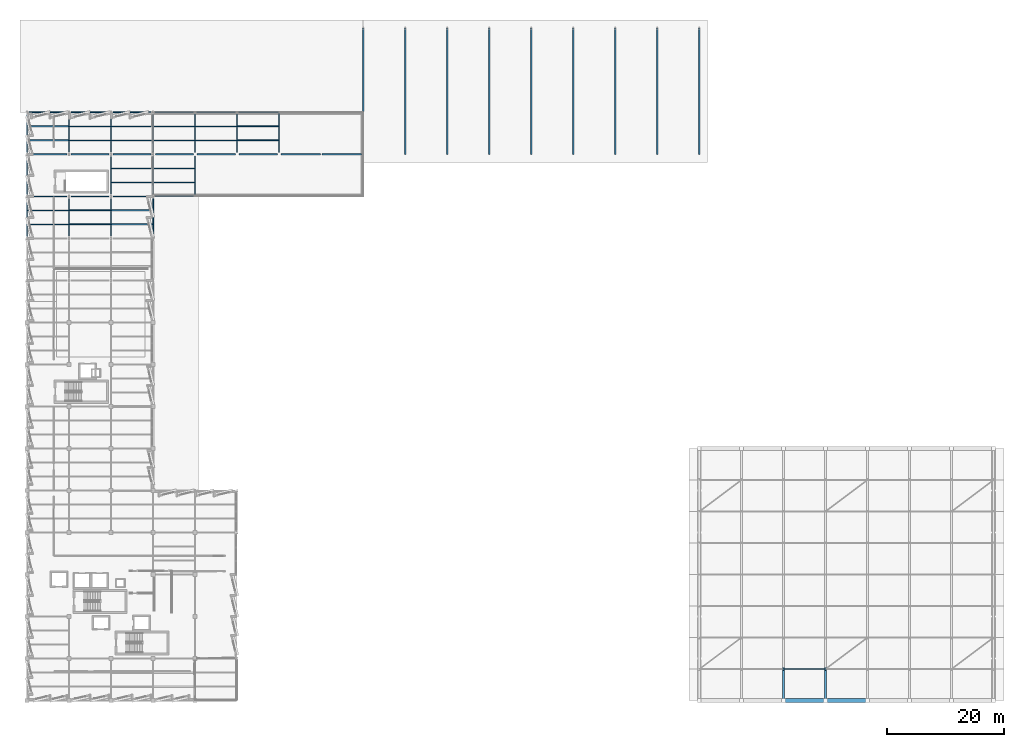
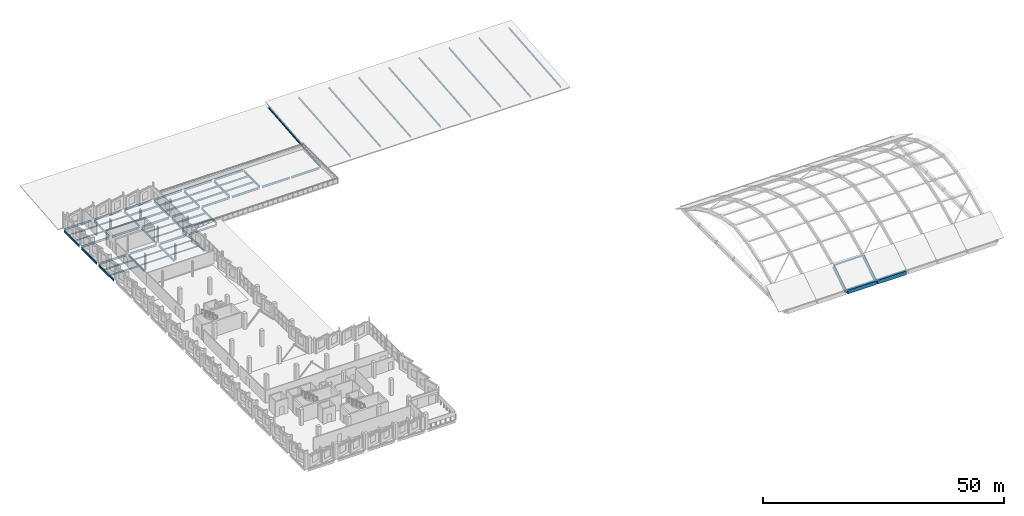
# One storey, part 20 of 38: 59 beams, 10 members.
"""IFC4 building model written with IfcOpenShell, lengths in metres."""

from ifc_helpers import new_model, si_unit, direction, frame, origin, origin_2d, place, context, subcontext, project, spatial, rectangle, i_section, extrude, material, material_profile, profile_set, type_object, element, save


model = new_model("IFC4")

# Units and contexts
model_context = context("Model", 3, precision=1e-05, world=origin(), true_north=direction((0.0, 1.0)))
body_context = subcontext(model_context, "Body", "Model", "MODEL_VIEW")
ifc_project = project(units=[si_unit("LENGTHUNIT", "METRE"), si_unit("AREAUNIT", "SQUARE_METRE"), si_unit("VOLUMEUNIT", "CUBIC_METRE"), si_unit("PLANEANGLEUNIT", "RADIAN"), si_unit("MASSUNIT", "GRAM", prefix="KILO")], contexts=[model_context])

# Site, building, storey
site_placement = place(None, origin())
site = spatial("IfcSite", under=ifc_project, at=site_placement, CompositionType="ELEMENT")
building_placement = place(site_placement, origin())
building = spatial("IfcBuilding", under=site, at=building_placement, Name="Kalmorath City Hall", CompositionType="ELEMENT")
storey_placement = place(building_placement, frame((0.0, 0.0, 18.89990234375)))
storey = spatial("IfcBuildingStorey", under=building, at=storey_placement, Name="L04", CompositionType="ELEMENT", Elevation=18.89990234375)

# Beams
ifc_material_1 = material(Name="Concrete C50/60", Category="concrete")
ifc_material_profile_1 = material_profile(ifc_material_1, rectangle(XDim=0.64990234375, YDim=0.949951171875, at=origin_2d()), Name="RC-RING-650X950")
ifc_profile_set_1 = profile_set([ifc_material_profile_1], Name="Concrete C50/60")
beam_type_1 = type_object("IfcBeamType", Name="Concrete shell ring beam 650x950", PredefinedType="SPANDREL", material=ifc_profile_set_1)
beam_1_placement = place(storey_placement, frame((129.784423828125, 0.0, -0.474853515625), z_axis=(1.0, 0.0, 0.0), x_axis=(0.0, 1.0, 0.0)))
element("IfcBeam", 1, at=beam_1_placement, inside=storey, type_object=beam_type_1, Name="Chamber shell perimeter edge beam RB1-S3", PredefinedType="SPANDREL", context=body_context, shape_type="SweptSolid", body=[
    extrude(rectangle(XDim=0.64990234375, YDim=0.949951171875, at=origin_2d()), origin(), (0.0, 0.0, 1.0), 6.8876953125),
])
beam_2_placement = place(storey_placement, frame((136.927978515625, 0.0, -0.474853515625), z_axis=(1.0, 0.0, 0.0), x_axis=(0.0, 1.0, 0.0)))
element("IfcBeam", 2, at=beam_2_placement, inside=storey, type_object=beam_type_1, Name="Chamber shell perimeter edge beam RB1-S4", PredefinedType="SPANDREL", context=body_context, shape_type="SweptSolid", body=[
    extrude(rectangle(XDim=0.64990234375, YDim=0.949951171875, at=origin_2d()), origin(), (0.0, 0.0, 1.0), 6.887451171875),
])
ifc_material_2 = material(Name="Steel ASTM A992 Grade 50", Category="steel")
ifc_material_profile_2 = material_profile(ifc_material_2, i_section(OverallWidth=0.177001953125, OverallDepth=0.403076171875, WebThickness=0.007568359375, FlangeThickness=0.010986328125, FilletRadius=0.012939453125, at=origin_2d()), Name="W16X36")
ifc_profile_set_2 = profile_set([ifc_material_profile_2], Name="Steel ASTM A992 Grade 50")
beam_type_2 = type_object("IfcBeamType", Name="Steel composite joist W16X36", PredefinedType="JOIST", material=ifc_profile_set_2)
for number, where, z_axis, x_axis, name in (
    (3, (0.08251953125, 81.60009765625, -0.495361328125), (1.0, 0.0, 0.0), (0.0, 1.0, 0.0), "L04 joist SJ7 1.12.1"),
    (4, (0.08251953125, 84.0, -0.495361328125), (1.0, 0.0, 0.0), (0.0, 1.0, 0.0), "L04 joist SJ7 1.12.2"),
):
    element("IfcBeam", number, at=place(storey_placement, frame(where, z_axis=z_axis, x_axis=x_axis)), inside=storey, type_object=beam_type_2, Name=name, PredefinedType="JOIST", context=body_context, shape_type="SweptSolid", body=[
        extrude(i_section(OverallWidth=0.177001953125, OverallDepth=0.403076171875, WebThickness=0.007568359375, FlangeThickness=0.010986328125, FilletRadius=0.012939453125, at=origin_2d()), origin(), (0.0, 0.0, 1.0), 7.011962890625),
    ])
ifc_material_3 = material(Name="Steel ASTM A992 Grade 50", Category="steel")
ifc_material_profile_3 = material_profile(ifc_material_3, i_section(OverallWidth=0.153076171875, OverallDepth=0.455078125, WebThickness=0.008056640625, FlangeThickness=0.01318359375, FilletRadius=0.013916015625, at=origin_2d()), Name="W18X40")
ifc_profile_set_3 = profile_set([ifc_material_profile_3], Name="Steel ASTM A992 Grade 50")
beam_type_3 = type_object("IfcBeamType", Name="Steel composite joist W18X40", PredefinedType="JOIST", material=ifc_profile_set_3)
for number, where, z_axis, x_axis, name in (
    (5, (36.10546875, 96.0, -0.521484375), (1.0, 0.0, 0.0), (0.0, 1.0, 0.0), "L04 joist SJ4 6.14.1"),
    (6, (36.10546875, 98.39990234375, -0.521484375), (1.0, 0.0, 0.0), (0.0, 1.0, 0.0), "L04 joist SJ4 6.14.2"),
):
    element("IfcBeam", number, at=place(storey_placement, frame(where, z_axis=z_axis, x_axis=x_axis)), inside=storey, type_object=beam_type_3, Name=name, PredefinedType="JOIST", context=body_context, shape_type="SweptSolid", body=[
        extrude(i_section(OverallWidth=0.153076171875, OverallDepth=0.455078125, WebThickness=0.008056640625, FlangeThickness=0.01318359375, FilletRadius=0.013916015625, at=origin_2d()), origin(), (0.0, 0.0, 1.0), 6.989013671875),
    ])
ifc_material_4 = material(Name="Steel ASTM A992 Grade 50", Category="steel")
ifc_material_profile_4 = material_profile(ifc_material_4, i_section(OverallWidth=0.19091796875, OverallDepth=0.45703125, WebThickness=0.009033203125, FlangeThickness=0.014404296875, FilletRadius=0.013916015625, at=origin_2d()), Name="W18X50")
ifc_profile_set_4 = profile_set([ifc_material_profile_4], Name="Steel ASTM A992 Grade 50")
beam_type_4 = type_object("IfcBeamType", Name="Steel composite joist W18X50", PredefinedType="JOIST", material=ifc_profile_set_4)
for number, where, z_axis, x_axis, name in (
    (7, (28.905517578125, 96.0, -0.5224609375), (1.0, 0.0, 0.0), (0.0, 1.0, 0.0), "L04 joist SJ3 5.14.1"),
    (8, (28.905517578125, 98.39990234375, -0.5224609375), (1.0, 0.0, 0.0), (0.0, 1.0, 0.0), "L04 joist SJ3 5.14.2"),
):
    element("IfcBeam", number, at=place(storey_placement, frame(where, z_axis=z_axis, x_axis=x_axis)), inside=storey, type_object=beam_type_4, Name=name, PredefinedType="JOIST", context=body_context, shape_type="SweptSolid", body=[
        extrude(i_section(OverallWidth=0.19091796875, OverallDepth=0.45703125, WebThickness=0.009033203125, FlangeThickness=0.014404296875, FilletRadius=0.013916015625, at=origin_2d()), origin(), (0.0, 0.0, 1.0), 6.989013671875),
    ])
ifc_material_5 = material(Name="Steel ASTM A992 Grade 50", Category="steel")
ifc_material_profile_5 = material_profile(ifc_material_5, i_section(OverallWidth=0.19091796875, OverallDepth=0.4599609375, WebThickness=0.010009765625, FlangeThickness=0.01611328125, FilletRadius=0.013916015625, at=origin_2d()), Name="W18X55")
ifc_profile_set_5 = profile_set([ifc_material_profile_5], Name="Steel ASTM A992 Grade 50")
beam_type_5 = type_object("IfcBeamType", Name="Steel composite joist W18X55", PredefinedType="JOIST", material=ifc_profile_set_5)
for number, where, z_axis, x_axis, name in (
    (9, (21.70556640625, 96.0, -0.52392578125), (1.0, 0.0, 0.0), (0.0, 1.0, 0.0), "L04 joist SJ2 4.14.1"),
    (10, (21.70556640625, 98.39990234375, -0.52392578125), (1.0, 0.0, 0.0), (0.0, 1.0, 0.0), "L04 joist SJ2 4.14.2"),
):
    element("IfcBeam", number, at=place(storey_placement, frame(where, z_axis=z_axis, x_axis=x_axis)), inside=storey, type_object=beam_type_5, Name=name, PredefinedType="JOIST", context=body_context, shape_type="SweptSolid", body=[
        extrude(i_section(OverallWidth=0.19091796875, OverallDepth=0.4599609375, WebThickness=0.010009765625, FlangeThickness=0.01611328125, FilletRadius=0.013916015625, at=origin_2d()), origin(), (0.0, 0.0, 1.0), 6.989013671875),
    ])
ifc_material_6 = material(Name="Steel ASTM A992 Grade 50", Category="steel")
ifc_material_profile_6 = material_profile(ifc_material_6, i_section(OverallWidth=0.193115234375, OverallDepth=0.466064453125, WebThickness=0.011474609375, FlangeThickness=0.01904296875, FilletRadius=0.013916015625, at=origin_2d()), Name="W18X65")
ifc_profile_set_6 = profile_set([ifc_material_profile_6], Name="Steel ASTM A992 Grade 50")
beam_type_6 = type_object("IfcBeamType", Name="Steel composite joist W18X65", PredefinedType="JOIST", material=ifc_profile_set_6)
for number, where, z_axis, x_axis, name in (
    (11, (14.505615234375, 96.0, -0.52685546875), (1.0, 0.0, 0.0), (0.0, 1.0, 0.0), "L04 joist SJ1 3.14.1"),
    (12, (14.505615234375, 98.39990234375, -0.52685546875), (1.0, 0.0, 0.0), (0.0, 1.0, 0.0), "L04 joist SJ1 3.14.2"),
):
    element("IfcBeam", number, at=place(storey_placement, frame(where, z_axis=z_axis, x_axis=x_axis)), inside=storey, type_object=beam_type_6, Name=name, PredefinedType="JOIST", context=body_context, shape_type="SweptSolid", body=[
        extrude(i_section(OverallWidth=0.193115234375, OverallDepth=0.466064453125, WebThickness=0.011474609375, FlangeThickness=0.01904296875, FilletRadius=0.013916015625, at=origin_2d()), origin(), (0.0, 0.0, 1.0), 6.98876953125),
    ])
for number, where, z_axis, x_axis, name in (
    (13, (21.70556640625, 88.800048828125, -0.52685546875), (1.0, 0.0, 0.0), (0.0, 1.0, 0.0), "L04 joist SJ1 4.13.1"),
    (14, (21.70556640625, 91.199951171875, -0.52685546875), (1.0, 0.0, 0.0), (0.0, 1.0, 0.0), "L04 joist SJ1 4.13.2"),
):
    element("IfcBeam", number, at=place(storey_placement, frame(where, z_axis=z_axis, x_axis=x_axis)), inside=storey, type_object=beam_type_6, Name=name, PredefinedType="JOIST", context=body_context, shape_type="SweptSolid", body=[
        extrude(i_section(OverallWidth=0.193115234375, OverallDepth=0.466064453125, WebThickness=0.011474609375, FlangeThickness=0.01904296875, FilletRadius=0.013916015625, at=origin_2d()), origin(), (0.0, 0.0, 1.0), 6.989013671875),
    ])
ifc_material_7 = material(Name="Steel ASTM A992 Grade 50", Category="steel")
ifc_material_profile_7 = material_profile(ifc_material_7, i_section(OverallWidth=0.202880859375, OverallDepth=0.202880859375, WebThickness=0.007080078125, FlangeThickness=0.010986328125, FilletRadius=0.010986328125, at=origin_2d()), Name="W8X31")
ifc_profile_set_7 = profile_set([ifc_material_profile_7], Name="Steel ASTM A992 Grade 50")
beam_type_7 = type_object("IfcBeamType", Name="Steel edge trimmer W8X31", PredefinedType="LINTEL", material=ifc_profile_set_7)
for number, where, z_axis, x_axis, name in (
    (15, (7.305419921875, 96.0, -0.3955078125), (1.0, 0.0, 0.0), (0.0, 1.0, 0.0), "L04 joist SJ16 2.14.1"),
    (16, (7.305419921875, 98.39990234375, -0.3955078125), (1.0, 0.0, 0.0), (0.0, 1.0, 0.0), "L04 joist SJ16 2.14.2"),
):
    element("IfcBeam", number, at=place(storey_placement, frame(where, z_axis=z_axis, x_axis=x_axis)), inside=storey, type_object=beam_type_7, Name=name, PredefinedType="LINTEL", context=body_context, shape_type="SweptSolid", body=[
        extrude(i_section(OverallWidth=0.202880859375, OverallDepth=0.202880859375, WebThickness=0.007080078125, FlangeThickness=0.010986328125, FilletRadius=0.010986328125, at=origin_2d()), origin(), (0.0, 0.0, 1.0), 6.989013671875),
    ])
for number, where, z_axis, x_axis, name in (
    (17, (14.505615234375, 88.800048828125, -0.3955078125), (1.0, 0.0, 0.0), (0.0, 1.0, 0.0), "L04 joist SJ16 3.13.1"),
    (18, (14.505615234375, 91.199951171875, -0.3955078125), (1.0, 0.0, 0.0), (0.0, 1.0, 0.0), "L04 joist SJ16 3.13.2"),
):
    element("IfcBeam", number, at=place(storey_placement, frame(where, z_axis=z_axis, x_axis=x_axis)), inside=storey, type_object=beam_type_7, Name=name, PredefinedType="LINTEL", context=body_context, shape_type="SweptSolid", body=[
        extrude(i_section(OverallWidth=0.202880859375, OverallDepth=0.202880859375, WebThickness=0.007080078125, FlangeThickness=0.010986328125, FilletRadius=0.010986328125, at=origin_2d()), origin(), (0.0, 0.0, 1.0), 6.98876953125),
    ])
ifc_material_8 = material(Name="Steel ASTM A992 Grade 50", Category="steel")
ifc_material_profile_8 = material_profile(ifc_material_8, i_section(OverallWidth=0.2109375, OverallDepth=0.5390625, WebThickness=0.01171875, FlangeThickness=0.018798828125, FilletRadius=0.014892578125, at=origin_2d()), Name="W21X73")
ifc_profile_set_8 = profile_set([ifc_material_profile_8], Name="Steel ASTM A992 Grade 50")
beam_type_8 = type_object("IfcBeamType", Name="Steel floor beam W21X73", PredefinedType="BEAM", material=ifc_profile_set_8)
for number, where, z_axis, x_axis, name in (
    (19, (0.375, 86.39990234375, -0.5634765625), (1.0, 0.0, 0.0), (0.0, 1.0, 0.0), "L04 girder SB1 X1-2/13"),
    (20, (7.574951171875, 86.39990234375, -0.5634765625), (1.0, 0.0, 0.0), (0.0, 1.0, 0.0), "L04 girder SB1 X2-3/13"),
):
    element("IfcBeam", number, at=place(storey_placement, frame(where, z_axis=z_axis, x_axis=x_axis)), inside=storey, type_object=beam_type_8, Name=name, PredefinedType="BEAM", context=body_context, shape_type="SweptSolid", body=[
        extrude(i_section(OverallWidth=0.2109375, OverallDepth=0.5390625, WebThickness=0.01171875, FlangeThickness=0.018798828125, FilletRadius=0.014892578125, at=origin_2d()), origin(), (0.0, 0.0, 1.0), 6.449951171875),
    ])
beam_3_placement = place(storey_placement, frame((14.77490234375, 86.39990234375, -0.5634765625), z_axis=(1.0, 0.0, 0.0), x_axis=(0.0, 1.0, 0.0)))
element("IfcBeam", 21, at=beam_3_placement, inside=storey, type_object=beam_type_8, Name="L04 girder SB1 X3-4/13", PredefinedType="BEAM", context=body_context, shape_type="SweptSolid", body=[
    extrude(i_section(OverallWidth=0.2109375, OverallDepth=0.5390625, WebThickness=0.01171875, FlangeThickness=0.018798828125, FilletRadius=0.014892578125, at=origin_2d()), origin(), (0.0, 0.0, 1.0), 6.4501953125),
])
for number, where, z_axis, x_axis, name in (
    (22, (0.375, 93.60009765625, -0.5634765625), (1.0, 0.0, 0.0), (0.0, 1.0, 0.0), "L04 girder SB1 X1-2/14"),
    (23, (7.574951171875, 93.60009765625, -0.5634765625), (1.0, 0.0, 0.0), (0.0, 1.0, 0.0), "L04 girder SB1 X2-3/14"),
):
    element("IfcBeam", number, at=place(storey_placement, frame(where, z_axis=z_axis, x_axis=x_axis)), inside=storey, type_object=beam_type_8, Name=name, PredefinedType="BEAM", context=body_context, shape_type="SweptSolid", body=[
        extrude(i_section(OverallWidth=0.2109375, OverallDepth=0.5390625, WebThickness=0.01171875, FlangeThickness=0.018798828125, FilletRadius=0.014892578125, at=origin_2d()), origin(), (0.0, 0.0, 1.0), 6.449951171875),
    ])
beam_4_placement = place(storey_placement, frame((14.77490234375, 93.60009765625, -0.5634765625), z_axis=(1.0, 0.0, 0.0), x_axis=(0.0, 1.0, 0.0)))
element("IfcBeam", 24, at=beam_4_placement, inside=storey, type_object=beam_type_8, Name="L04 girder SB1 X3-4/14", PredefinedType="BEAM", context=body_context, shape_type="SweptSolid", body=[
    extrude(i_section(OverallWidth=0.2109375, OverallDepth=0.5390625, WebThickness=0.01171875, FlangeThickness=0.018798828125, FilletRadius=0.014892578125, at=origin_2d()), origin(), (0.0, 0.0, 1.0), 6.4501953125),
])
beam_5_placement = place(storey_placement, frame((21.97509765625, 93.60009765625, -0.5634765625), z_axis=(1.0, 0.0, 0.0), x_axis=(0.0, 1.0, 0.0)))
element("IfcBeam", 25, at=beam_5_placement, inside=storey, type_object=beam_type_8, Name="L04 girder SB1 X4-5/14", PredefinedType="BEAM", context=body_context, shape_type="SweptSolid", body=[
    extrude(i_section(OverallWidth=0.2109375, OverallDepth=0.5390625, WebThickness=0.01171875, FlangeThickness=0.018798828125, FilletRadius=0.014892578125, at=origin_2d()), origin(), (0.0, 0.0, 1.0), 6.52490234375),
])
for number, where, z_axis, x_axis, name in (
    (26, (29.10009765625, 93.60009765625, -0.5634765625), (1.0, 0.0, 0.0), (0.0, 1.0, 0.0), "L04 girder SB1 X5-6/14"),
    (27, (36.300048828125, 93.60009765625, -0.5634765625), (1.0, 0.0, 0.0), (0.0, 1.0, 0.0), "L04 girder SB1 X6-7/14"),
):
    element("IfcBeam", number, at=place(storey_placement, frame(where, z_axis=z_axis, x_axis=x_axis)), inside=storey, type_object=beam_type_8, Name=name, PredefinedType="BEAM", context=body_context, shape_type="SweptSolid", body=[
        extrude(i_section(OverallWidth=0.2109375, OverallDepth=0.5390625, WebThickness=0.01171875, FlangeThickness=0.018798828125, FilletRadius=0.014892578125, at=origin_2d()), origin(), (0.0, 0.0, 1.0), 6.599853515625),
    ])
for number, where, z_axis, x_axis, name in (
    (28, (43.5, 93.60009765625, -0.5634765625), (1.0, 0.0, 0.0), (0.0, 1.0, 0.0), "L04 girder SB1 X7-8/14"),
    (29, (50.527099609375, 93.60009765625, -0.5634765625), (1.0, 0.0, 0.0), (0.0, 1.0, 0.0), "L04 girder SB1 X8-9/14"),
):
    element("IfcBeam", number, at=place(storey_placement, frame(where, z_axis=z_axis, x_axis=x_axis)), inside=storey, type_object=beam_type_8, Name=name, PredefinedType="BEAM", context=body_context, shape_type="SweptSolid", body=[
        extrude(i_section(OverallWidth=0.2109375, OverallDepth=0.5390625, WebThickness=0.01171875, FlangeThickness=0.018798828125, FilletRadius=0.014892578125, at=origin_2d()), origin(), (0.0, 0.0, 1.0), 6.77294921875),
    ])
for number, where, z_axis, x_axis, name in (
    (30, (7.199951171875, 79.574951171875, -0.5634765625), (0.0, 1.0, 0.0), (-1.0, 0.0, 0.0), "L04 girder SB1 Y2/12-13"),
    (31, (7.199951171875, 93.97509765625, -0.5634765625), (0.0, 1.0, 0.0), (-1.0, 0.0, 0.0), "L04 girder SB1 Y2/14-15"),
    (32, (14.39990234375, 79.574951171875, -0.5634765625), (0.0, 1.0, 0.0), (-1.0, 0.0, 0.0), "L04 girder SB1 Y3/12-13"),
):
    element("IfcBeam", number, at=place(storey_placement, frame(where, z_axis=z_axis, x_axis=x_axis)), inside=storey, type_object=beam_type_8, Name=name, PredefinedType="BEAM", context=body_context, shape_type="SweptSolid", body=[
        extrude(i_section(OverallWidth=0.2109375, OverallDepth=0.5390625, WebThickness=0.01171875, FlangeThickness=0.018798828125, FilletRadius=0.014892578125, at=origin_2d()), origin(), (0.0, 0.0, 1.0), 6.449951171875),
    ])
beam_6_placement = place(storey_placement, frame((14.39990234375, 86.77490234375, -0.5634765625), z_axis=(0.0, 1.0, 0.0), x_axis=(-1.0, 0.0, 0.0)))
element("IfcBeam", 33, at=beam_6_placement, inside=storey, type_object=beam_type_8, Name="L04 girder SB1 Y3/13-14", PredefinedType="BEAM", context=body_context, shape_type="SweptSolid", body=[
    extrude(i_section(OverallWidth=0.2109375, OverallDepth=0.5390625, WebThickness=0.01171875, FlangeThickness=0.018798828125, FilletRadius=0.014892578125, at=origin_2d()), origin(), (0.0, 0.0, 1.0), 6.4501953125),
])
beam_7_placement = place(storey_placement, frame((14.39990234375, 93.97509765625, -0.5634765625), z_axis=(0.0, 1.0, 0.0), x_axis=(-1.0, 0.0, 0.0)))
element("IfcBeam", 34, at=beam_7_placement, inside=storey, type_object=beam_type_8, Name="L04 girder SB1 Y3/14-15", PredefinedType="BEAM", context=body_context, shape_type="SweptSolid", body=[
    extrude(i_section(OverallWidth=0.2109375, OverallDepth=0.5390625, WebThickness=0.01171875, FlangeThickness=0.018798828125, FilletRadius=0.014892578125, at=origin_2d()), origin(), (0.0, 0.0, 1.0), 6.449951171875),
])
beam_8_placement = place(storey_placement, frame((21.60009765625, 86.77490234375, -0.5634765625), z_axis=(0.0, 1.0, 0.0), x_axis=(-1.0, 0.0, 0.0)))
element("IfcBeam", 35, at=beam_8_placement, inside=storey, type_object=beam_type_8, Name="L04 girder SB1 Y4/13-14", PredefinedType="BEAM", context=body_context, shape_type="SweptSolid", body=[
    extrude(i_section(OverallWidth=0.2109375, OverallDepth=0.5390625, WebThickness=0.01171875, FlangeThickness=0.018798828125, FilletRadius=0.014892578125, at=origin_2d()), origin(), (0.0, 0.0, 1.0), 6.4501953125),
])
beam_9_placement = place(storey_placement, frame((21.60009765625, 93.97509765625, -0.5634765625), z_axis=(0.0, 1.0, 0.0), x_axis=(-1.0, 0.0, 0.0)))
element("IfcBeam", 36, at=beam_9_placement, inside=storey, type_object=beam_type_8, Name="L04 girder SB1 Y4/14-15", PredefinedType="BEAM", context=body_context, shape_type="SweptSolid", body=[
    extrude(i_section(OverallWidth=0.2109375, OverallDepth=0.5390625, WebThickness=0.01171875, FlangeThickness=0.018798828125, FilletRadius=0.014892578125, at=origin_2d()), origin(), (0.0, 0.0, 1.0), 6.449951171875),
])
for number, where, z_axis, x_axis, name in (
    (37, (28.800048828125, 86.699951171875, -0.5634765625), (0.0, 1.0, 0.0), (-1.0, 0.0, 0.0), "L04 girder SB1 Y5/13-14"),
    (38, (28.800048828125, 93.89990234375, -0.5634765625), (0.0, 1.0, 0.0), (-1.0, 0.0, 0.0), "L04 girder SB1 Y5/14-15"),
    (39, (36.0, 93.89990234375, -0.5634765625), (0.0, 1.0, 0.0), (-1.0, 0.0, 0.0), "L04 girder SB1 Y6/14-15"),
):
    element("IfcBeam", number, at=place(storey_placement, frame(where, z_axis=z_axis, x_axis=x_axis)), inside=storey, type_object=beam_type_8, Name=name, PredefinedType="BEAM", context=body_context, shape_type="SweptSolid", body=[
        extrude(i_section(OverallWidth=0.2109375, OverallDepth=0.5390625, WebThickness=0.01171875, FlangeThickness=0.018798828125, FilletRadius=0.014892578125, at=origin_2d()), origin(), (0.0, 0.0, 1.0), 6.60009765625),
    ])
beam_10_placement = place(storey_placement, frame((43.199951171875, 93.89990234375, -0.5634765625), z_axis=(0.0, 1.0, 0.0), x_axis=(-1.0, 0.0, 0.0)))
element("IfcBeam", 40, at=beam_10_placement, inside=storey, type_object=beam_type_8, Name="L04 girder SB1 Y7/14-15", PredefinedType="BEAM", context=body_context, shape_type="SweptSolid", body=[
    extrude(i_section(OverallWidth=0.2109375, OverallDepth=0.5390625, WebThickness=0.01171875, FlangeThickness=0.018798828125, FilletRadius=0.014892578125, at=origin_2d()), origin(), (0.0, 0.0, 1.0), 6.7236328125),
])
ifc_material_9 = material(Name="Steel ASTM A992 Grade 50", Category="steel")
ifc_material_profile_9 = material_profile(ifc_material_9, i_section(OverallWidth=0.1669921875, OverallDepth=0.318115234375, WebThickness=0.007568359375, FlangeThickness=0.01318359375, FilletRadius=0.012939453125, at=origin_2d()), Name="W12X35")
ifc_profile_set_9 = profile_set([ifc_material_profile_9], Name="Steel ASTM A992 Grade 50")
beam_type_9 = type_object("IfcBeamType", Name="Steel header lintel W12X35", PredefinedType="LINTEL", material=ifc_profile_set_9)
for number, where, z_axis, x_axis, name in (
    (41, (7.305419921875, 81.60009765625, -0.452880859375), (1.0, 0.0, 0.0), (0.0, 1.0, 0.0), "L04 joist SJ13 2.12.1"),
    (42, (7.305419921875, 84.0, -0.452880859375), (1.0, 0.0, 0.0), (0.0, 1.0, 0.0), "L04 joist SJ13 2.12.2"),
):
    element("IfcBeam", number, at=place(storey_placement, frame(where, z_axis=z_axis, x_axis=x_axis)), inside=storey, type_object=beam_type_9, Name=name, PredefinedType="LINTEL", context=body_context, shape_type="SweptSolid", body=[
        extrude(i_section(OverallWidth=0.1669921875, OverallDepth=0.318115234375, WebThickness=0.007568359375, FlangeThickness=0.01318359375, FilletRadius=0.012939453125, at=origin_2d()), origin(), (0.0, 0.0, 1.0), 6.989013671875),
    ])
ifc_material_10 = material(Name="Steel ASTM A992 Grade 50", Category="steel")
ifc_material_profile_10 = material_profile(ifc_material_10, i_section(OverallWidth=0.306884765625, OverallDepth=0.923095703125, WebThickness=0.018310546875, FlangeThickness=0.030029296875, FilletRadius=0.02392578125, at=origin_2d()), Name="W36X182")
ifc_profile_set_10 = profile_set([ifc_material_profile_10], Name="Steel ASTM A992 Grade 50")
beam_type_10 = type_object("IfcBeamType", Name="Steel parabolic shell arch rib W36X182", PredefinedType="BEAM", material=ifc_profile_set_10)
for number, where, z_axis, x_axis, name in (
    (43, (129.60009765625, 0.0, -0.701416015625), (0.0, 0.840066062404, 0.542484111101), (-1.0, 0.0, 0.0), "Chamber shell arch rib AR2 R3.1"),
    (44, (136.800048828125, 0.0, -0.701416015625), (0.0, 0.840066062404, 0.542484111101), (-1.0, 0.0, 0.0), "Chamber shell arch rib AR2 R4.1"),
):
    element("IfcBeam", number, at=place(storey_placement, frame(where, z_axis=z_axis, x_axis=x_axis)), inside=storey, type_object=beam_type_10, Name=name, PredefinedType="BEAM", context=body_context, shape_type="SweptSolid", body=[
        extrude(i_section(OverallWidth=0.306884765625, OverallDepth=0.923095703125, WebThickness=0.018310546875, FlangeThickness=0.030029296875, FilletRadius=0.02392578125, at=origin_2d()), origin(), (0.0, 0.0, 1.0), 6.427978515625),
    ])

# Members
ifc_material_11 = material(Name="Steel ASTM A992 Grade 50", Category="steel")
ifc_material_profile_11 = material_profile(ifc_material_11, i_section(OverallWidth=0.25390625, OverallDepth=0.35302734375, WebThickness=0.009521484375, FlangeThickness=0.016357421875, FilletRadius=0.014892578125, at=origin_2d()), Name="W14X61")
ifc_profile_set_11 = profile_set([ifc_material_profile_11], Name="Steel ASTM A992 Grade 50")
member_type_1 = type_object("IfcMemberType", Name="Steel pitched roof rafter W14X61", PredefinedType="RAFTER", material=ifc_profile_set_11)
for number, where, z_axis, x_axis, name in (
    (45, (57.60009765625, 93.60009765625, -0.31982421875), (0.0, 0.995991075176, 0.089452658815), (-1.0, 0.0, 0.0), "V4 pitched roof rafter RF3-1"),
    (46, (64.800048828125, 93.60009765625, -0.31982421875), (0.0, 0.995991075176, 0.089452658815), (-1.0, 0.0, 0.0), "V4 pitched roof rafter RF3-2"),
    (47, (72.0, 93.60009765625, -0.31982421875), (0.0, 0.995991075176, 0.089452658815), (-1.0, 0.0, 0.0), "V4 pitched roof rafter RF3-3"),
    (48, (79.199951171875, 93.60009765625, -0.31982421875), (0.0, 0.995991075176, 0.089452658815), (-1.0, 0.0, 0.0), "V4 pitched roof rafter RF3-4"),
    (49, (86.39990234375, 93.60009765625, -0.31982421875), (0.0, 0.995991075176, 0.089452658815), (-1.0, 0.0, 0.0), "V4 pitched roof rafter RF3-5"),
    (50, (93.60009765625, 93.60009765625, -0.31982421875), (0.0, 0.995991075176, 0.089452658815), (-1.0, 0.0, 0.0), "V4 pitched roof rafter RF3-6"),
    (51, (100.800048828125, 93.60009765625, -0.31982421875), (0.0, 0.995991075176, 0.089452658815), (-1.0, 0.0, 0.0), "V4 pitched roof rafter RF3-7"),
    (52, (108.0, 93.60009765625, -0.31982421875), (0.0, 0.995991075176, 0.089452658815), (-1.0, 0.0, 0.0), "V4 pitched roof rafter RF3-8"),
    (53, (115.199951171875, 93.60009765625, -0.31982421875), (0.0, 0.995991075176, 0.089452658815), (-1.0, 0.0, 0.0), "V4 pitched roof rafter RF3-9"),
):
    element("IfcMember", number, at=place(storey_placement, frame(where, z_axis=z_axis, x_axis=x_axis)), inside=storey, type_object=member_type_1, Name=name, PredefinedType="RAFTER", context=body_context, shape_type="SweptSolid", body=[
        extrude(i_section(OverallWidth=0.25390625, OverallDepth=0.35302734375, WebThickness=0.009521484375, FlangeThickness=0.016357421875, FilletRadius=0.014892578125, at=origin_2d()), origin(), (0.0, 0.0, 1.0), 21.686767578125),
    ])
ifc_material_12 = material(Name="Steel ASTM A992 Grade 50", Category="steel")
ifc_material_profile_12 = material_profile(ifc_material_12, i_section(OverallWidth=0.2041015625, OverallDepth=0.35009765625, WebThickness=0.008544921875, FlangeThickness=0.01513671875, FilletRadius=0.014892578125, at=origin_2d()), Name="W14X48")
ifc_profile_set_12 = profile_set([ifc_material_profile_12], Name="Steel ASTM A992 Grade 50")
member_type_2 = type_object("IfcMemberType", Name="Steel roof purlin member W14X48", PredefinedType="PURLIN", material=ifc_profile_set_12)
member_placement = place(storey_placement, frame((129.60009765625, 5.39990234375, 2.95703125), z_axis=(1.0, 0.0, 0.0), x_axis=(0.0, 1.0, 0.0)))
element("IfcMember", 54, at=member_placement, inside=storey, type_object=member_type_2, Name="Chamber shell purlin RF5-3.1", PredefinedType="PURLIN", context=body_context, shape_type="SweptSolid", body=[
    extrude(i_section(OverallWidth=0.2041015625, OverallDepth=0.35009765625, WebThickness=0.008544921875, FlangeThickness=0.01513671875, FilletRadius=0.014892578125, at=origin_2d()), origin(), (0.0, 0.0, 1.0), 7.199951171875),
])

# Beams
ifc_material_13 = material(Name="Steel ASTM A992 Grade 50", Category="steel")
ifc_material_profile_13 = material_profile(ifc_material_13, i_section(OverallWidth=0.1650390625, OverallDepth=0.52490234375, WebThickness=0.0087890625, FlangeThickness=0.011474609375, FilletRadius=0.014892578125, at=origin_2d()), Name="W21X44")
ifc_profile_set_13 = profile_set([ifc_material_profile_13], Name="Steel ASTM A992 Grade 50")
beam_type_11 = type_object("IfcBeamType", Name="Steel spandrel beam W21X44", PredefinedType="SPANDREL", material=ifc_profile_set_13)
beam_11_placement = place(storey_placement, frame((21.97509765625, 86.39990234375, -0.556396484375), z_axis=(1.0, 0.0, 0.0), x_axis=(0.0, 1.0, 0.0)))
element("IfcBeam", 55, at=beam_11_placement, inside=storey, type_object=beam_type_11, Name="L04 girder SB4 X4-5/13", PredefinedType="SPANDREL", context=body_context, shape_type="SweptSolid", body=[
    extrude(i_section(OverallWidth=0.1650390625, OverallDepth=0.52490234375, WebThickness=0.0087890625, FlangeThickness=0.011474609375, FilletRadius=0.014892578125, at=origin_2d()), origin(), (0.0, 0.0, 1.0), 6.52490234375),
])
for number, where, z_axis, x_axis, name in (
    (56, (0.375, 100.800048828125, -0.556396484375), (1.0, 0.0, 0.0), (0.0, 1.0, 0.0), "L04 girder SB4 X1-2/15"),
    (57, (7.574951171875, 100.800048828125, -0.556396484375), (1.0, 0.0, 0.0), (0.0, 1.0, 0.0), "L04 girder SB4 X2-3/15"),
):
    element("IfcBeam", number, at=place(storey_placement, frame(where, z_axis=z_axis, x_axis=x_axis)), inside=storey, type_object=beam_type_11, Name=name, PredefinedType="SPANDREL", context=body_context, shape_type="SweptSolid", body=[
        extrude(i_section(OverallWidth=0.1650390625, OverallDepth=0.52490234375, WebThickness=0.0087890625, FlangeThickness=0.011474609375, FilletRadius=0.014892578125, at=origin_2d()), origin(), (0.0, 0.0, 1.0), 6.449951171875),
    ])
beam_12_placement = place(storey_placement, frame((14.77490234375, 100.800048828125, -0.556396484375), z_axis=(1.0, 0.0, 0.0), x_axis=(0.0, 1.0, 0.0)))
element("IfcBeam", 58, at=beam_12_placement, inside=storey, type_object=beam_type_11, Name="L04 girder SB4 X3-4/15", PredefinedType="SPANDREL", context=body_context, shape_type="SweptSolid", body=[
    extrude(i_section(OverallWidth=0.1650390625, OverallDepth=0.52490234375, WebThickness=0.0087890625, FlangeThickness=0.011474609375, FilletRadius=0.014892578125, at=origin_2d()), origin(), (0.0, 0.0, 1.0), 6.4501953125),
])
beam_13_placement = place(storey_placement, frame((21.97509765625, 100.800048828125, -0.556396484375), z_axis=(1.0, 0.0, 0.0), x_axis=(0.0, 1.0, 0.0)))
element("IfcBeam", 59, at=beam_13_placement, inside=storey, type_object=beam_type_11, Name="L04 girder SB4 X4-5/15", PredefinedType="SPANDREL", context=body_context, shape_type="SweptSolid", body=[
    extrude(i_section(OverallWidth=0.1650390625, OverallDepth=0.52490234375, WebThickness=0.0087890625, FlangeThickness=0.011474609375, FilletRadius=0.014892578125, at=origin_2d()), origin(), (0.0, 0.0, 1.0), 6.52490234375),
])
beam_14_placement = place(storey_placement, frame((29.10009765625, 100.800048828125, -0.556396484375), z_axis=(1.0, 0.0, 0.0), x_axis=(0.0, 1.0, 0.0)))
element("IfcBeam", 60, at=beam_14_placement, inside=storey, type_object=beam_type_11, Name="L04 girder SB4 X5-6/15", PredefinedType="SPANDREL", context=body_context, shape_type="SweptSolid", body=[
    extrude(i_section(OverallWidth=0.1650390625, OverallDepth=0.52490234375, WebThickness=0.0087890625, FlangeThickness=0.011474609375, FilletRadius=0.014892578125, at=origin_2d()), origin(), (0.0, 0.0, 1.0), 6.599853515625),
])
beam_15_placement = place(storey_placement, frame((36.300048828125, 100.800048828125, -0.556396484375), z_axis=(1.0, 0.0, 0.0), x_axis=(0.0, 1.0, 0.0)))
element("IfcBeam", 61, at=beam_15_placement, inside=storey, type_object=beam_type_11, Name="L04 girder SB4 X6-7/15", PredefinedType="SPANDREL", context=body_context, shape_type="SweptSolid", body=[
    extrude(i_section(OverallWidth=0.1650390625, OverallDepth=0.52490234375, WebThickness=0.0087890625, FlangeThickness=0.011474609375, FilletRadius=0.014892578125, at=origin_2d()), origin(), (0.0, 0.0, 1.0), 6.77294921875),
])
beam_16_placement = place(storey_placement, frame((0.0, 79.574951171875, -0.556396484375), z_axis=(0.0, 1.0, 0.0), x_axis=(-1.0, 0.0, 0.0)))
element("IfcBeam", 62, at=beam_16_placement, inside=storey, type_object=beam_type_11, Name="L04 girder SB4 Y1/12-13", PredefinedType="SPANDREL", context=body_context, shape_type="SweptSolid", body=[
    extrude(i_section(OverallWidth=0.1650390625, OverallDepth=0.52490234375, WebThickness=0.0087890625, FlangeThickness=0.011474609375, FilletRadius=0.014892578125, at=origin_2d()), origin(), (0.0, 0.0, 1.0), 6.449951171875),
])
beam_17_placement = place(storey_placement, frame((0.0, 86.77490234375, -0.556396484375), z_axis=(0.0, 1.0, 0.0), x_axis=(-1.0, 0.0, 0.0)))
element("IfcBeam", 63, at=beam_17_placement, inside=storey, type_object=beam_type_11, Name="L04 girder SB4 Y1/13-14", PredefinedType="SPANDREL", context=body_context, shape_type="SweptSolid", body=[
    extrude(i_section(OverallWidth=0.1650390625, OverallDepth=0.52490234375, WebThickness=0.0087890625, FlangeThickness=0.011474609375, FilletRadius=0.014892578125, at=origin_2d()), origin(), (0.0, 0.0, 1.0), 6.4501953125),
])
for number, where, z_axis, x_axis, name in (
    (64, (0.0, 93.97509765625, -0.556396484375), (0.0, 1.0, 0.0), (-1.0, 0.0, 0.0), "L04 girder SB4 Y1/14-15"),
    (65, (21.60009765625, 79.574951171875, -0.556396484375), (0.0, 1.0, 0.0), (-1.0, 0.0, 0.0), "L04 girder SB4 Y4/12-13"),
):
    element("IfcBeam", number, at=place(storey_placement, frame(where, z_axis=z_axis, x_axis=x_axis)), inside=storey, type_object=beam_type_11, Name=name, PredefinedType="SPANDREL", context=body_context, shape_type="SweptSolid", body=[
        extrude(i_section(OverallWidth=0.1650390625, OverallDepth=0.52490234375, WebThickness=0.0087890625, FlangeThickness=0.011474609375, FilletRadius=0.014892578125, at=origin_2d()), origin(), (0.0, 0.0, 1.0), 6.449951171875),
    ])
ifc_material_14 = material(Name="Steel ASTM A992 Grade 50", Category="steel")
ifc_material_profile_14 = material_profile(ifc_material_14, i_section(OverallWidth=0.25390625, OverallDepth=0.2529296875, WebThickness=0.008544921875, FlangeThickness=0.01416015625, FilletRadius=0.011962890625, at=origin_2d()), Name="W10X49")
ifc_profile_set_14 = profile_set([ifc_material_profile_14], Name="Steel ASTM A992 Grade 50")
beam_type_12 = type_object("IfcBeamType", Name="Steel trimmer beam W10X49", PredefinedType="BEAM", material=ifc_profile_set_14)
for number, where, z_axis, x_axis, name in (
    (66, (0.08251953125, 96.0, -0.42041015625), (1.0, 0.0, 0.0), (0.0, 1.0, 0.0), "L04 joist SJ14 1.14.1"),
    (67, (0.08251953125, 98.39990234375, -0.42041015625), (1.0, 0.0, 0.0), (0.0, 1.0, 0.0), "L04 joist SJ14 1.14.2"),
    (68, (14.505615234375, 81.60009765625, -0.42041015625), (1.0, 0.0, 0.0), (0.0, 1.0, 0.0), "L04 joist SJ14 3.12.1"),
    (69, (14.505615234375, 84.0, -0.42041015625), (1.0, 0.0, 0.0), (0.0, 1.0, 0.0), "L04 joist SJ14 3.12.2"),
):
    element("IfcBeam", number, at=place(storey_placement, frame(where, z_axis=z_axis, x_axis=x_axis)), inside=storey, type_object=beam_type_12, Name=name, PredefinedType="BEAM", context=body_context, shape_type="SweptSolid", body=[
        extrude(i_section(OverallWidth=0.25390625, OverallDepth=0.2529296875, WebThickness=0.008544921875, FlangeThickness=0.01416015625, FilletRadius=0.011962890625, at=origin_2d()), origin(), (0.0, 0.0, 1.0), 7.011962890625),
    ])

save(model, "model.ifc")
